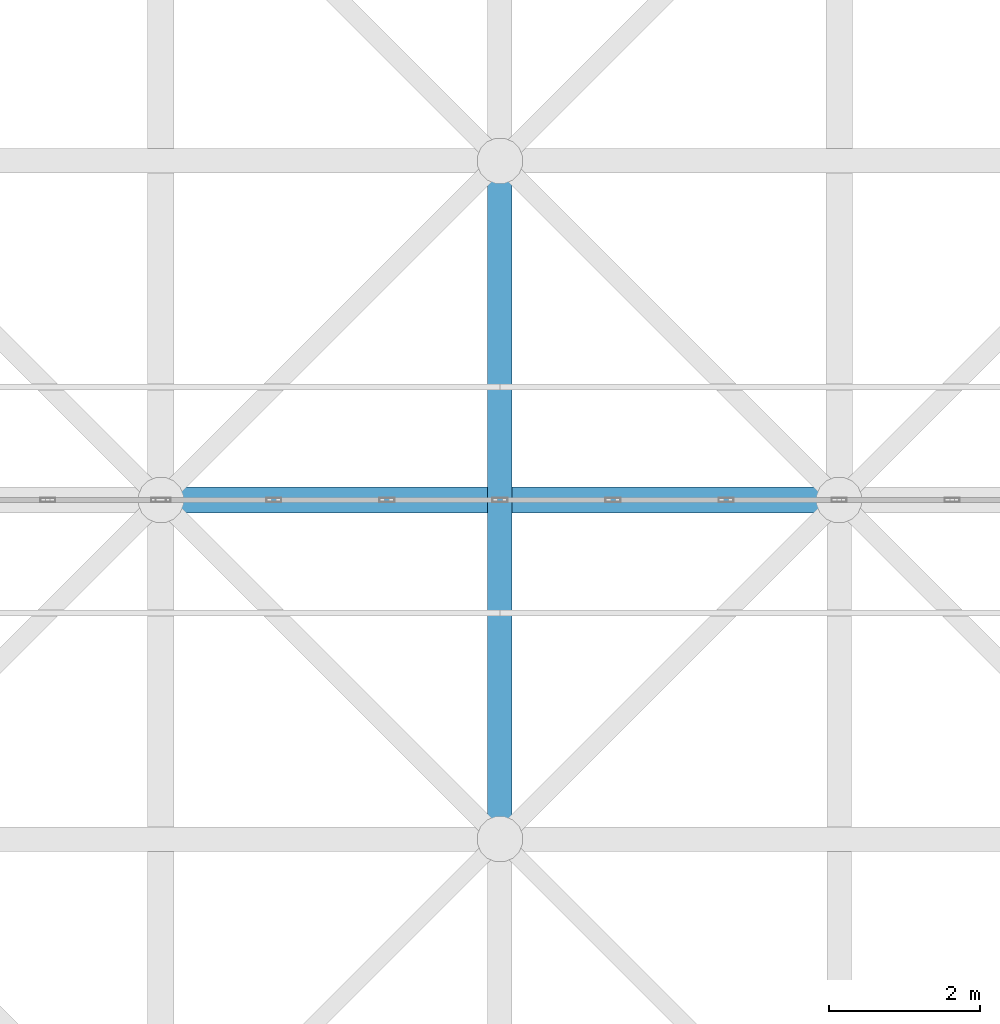
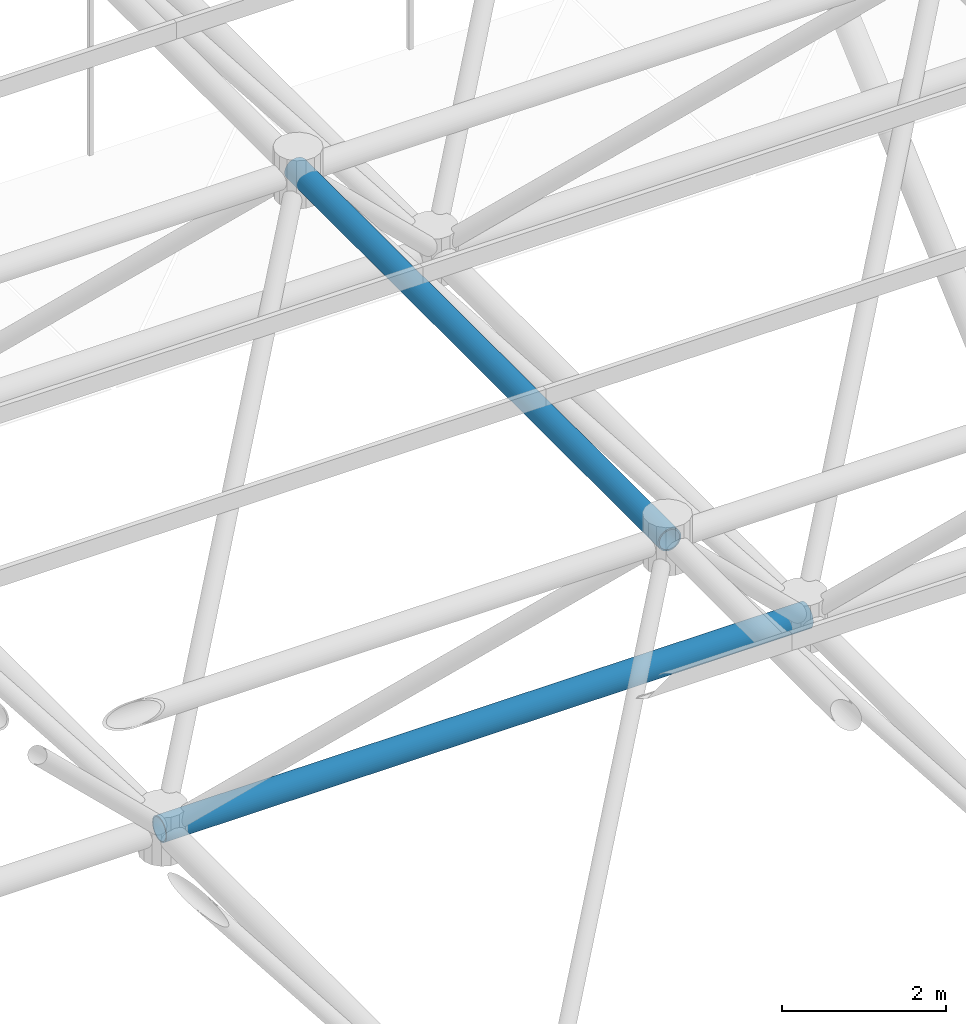
# One storey, part 181 of 437: 2 members.
"""IFC4 building model written with IfcOpenShell, lengths in metres."""

from ifc_helpers import new_model, si_unit, direction, frame, origin, origin_2d, place, context, subcontext, project, spatial, hollow_circle, extrude, material, material_profile, profile_set, type_object, element, save


model = new_model("IFC4")

# Units and contexts
model_context = context("Model", 3, precision=1e-05, world=origin(), true_north=direction((0.0, 1.0)))
body_context = subcontext(model_context, "Body", "Model", "MODEL_VIEW")
ifc_project = project(units=[si_unit("LENGTHUNIT", "METRE"), si_unit("AREAUNIT", "SQUARE_METRE"), si_unit("VOLUMEUNIT", "CUBIC_METRE"), si_unit("PLANEANGLEUNIT", "RADIAN"), si_unit("MASSUNIT", "GRAM", prefix="KILO")], contexts=[model_context])

# Site, building, storey
site_placement = place(None, origin())
site = spatial("IfcSite", under=ifc_project, at=site_placement, CompositionType="ELEMENT")
building_placement = place(site_placement, origin())
building = spatial("IfcBuilding", under=site, at=building_placement, Name="Opaline Strait Convention Centre", CompositionType="ELEMENT")
storey_placement = place(building_placement, frame((0.0, 0.0, 11.5)))
storey = spatial("IfcBuildingStorey", under=building, at=storey_placement, Name="L02", CompositionType="ELEMENT", Elevation=11.5)

# Members
ifc_material = material(Name="Steel Q355B", Category="steel")
ifc_material_profile_1 = material_profile(ifc_material, hollow_circle(Radius=0.175537109375, WallThickness=0.01611328125, at=origin_2d()), Name="CHS 351x16")
ifc_profile_set_1 = profile_set([ifc_material_profile_1], Name="Steel Q355B")
member_type_1 = type_object("IfcMemberType", Name="Space frame bottom chord CHS 351x16", PredefinedType="CHORD", material=ifc_profile_set_1)
member_1_placement = place(storey_placement, frame((188.949951171875, 144.0, 12.5), z_axis=(1.0, 0.0, 0.0), x_axis=(0.0, 1.0, 0.0)))
element("IfcMember", 1, at=member_1_placement, inside=storey, type_object=member_type_1, Name="EXB-RF-BX-11-11", PredefinedType="CHORD", context=body_context, shape_type="SweptSolid", body=[
    extrude(hollow_circle(Radius=0.175537109375, WallThickness=0.01611328125, at=origin_2d()), origin(), (0.0, 0.0, 1.0), 9.10009765625),
])
ifc_material_profile_2 = material_profile(ifc_material, hollow_circle(Radius=0.16259765625, WallThickness=0.02001953125, at=origin_2d()), Name="CHS 325x20")
ifc_profile_set_2 = profile_set([ifc_material_profile_2], Name="Steel Q355B")
member_type_2 = type_object("IfcMemberType", Name="Space frame top chord CHS 325x20", PredefinedType="CHORD", material=ifc_profile_set_2)
member_2_placement = place(storey_placement, frame((193.5, 139.449951171875, 17.971435546875), z_axis=(0.0, 1.0, 0.0), x_axis=(-1.0, 0.0, 0.0)))
element("IfcMember", 2, at=member_2_placement, inside=storey, type_object=member_type_2, Name="EXB-RF-TY-12-11", PredefinedType="CHORD", context=body_context, shape_type="SweptSolid", body=[
    extrude(hollow_circle(Radius=0.16259765625, WallThickness=0.02001953125, at=origin_2d()), origin(), (0.0, 0.0, 1.0), 9.10009765625),
])

save(model, "model.ifc")
